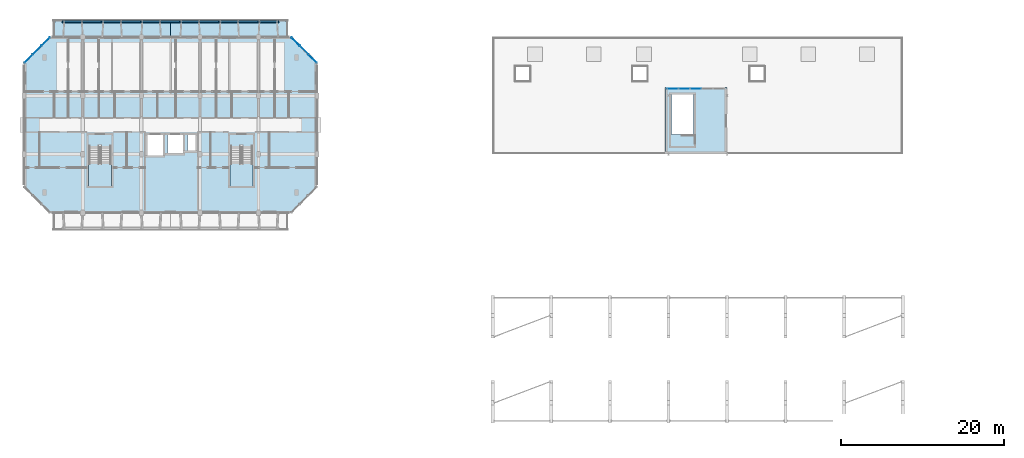
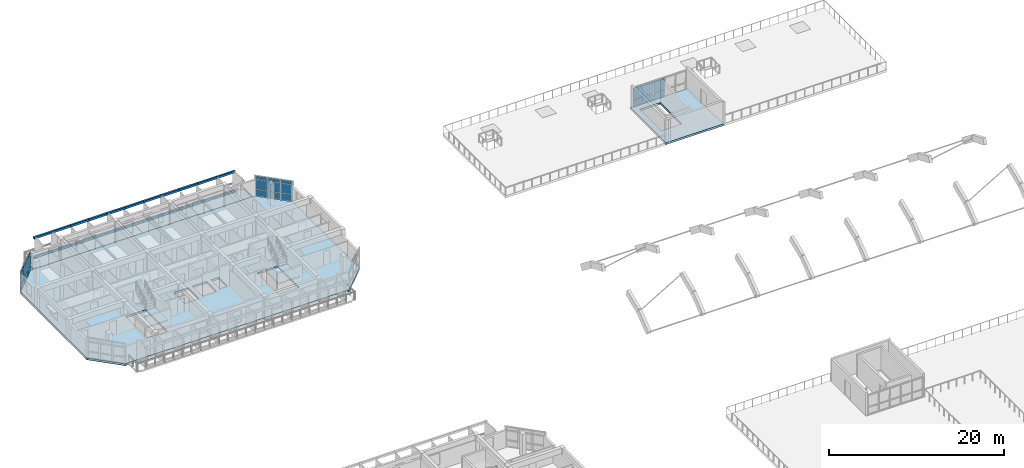
# One storey, part 21 of 64: 46 plates, 6 slabs, 5 elements without a shape of their own.
"""IFC4 building model written with IfcOpenShell, lengths in metres."""

from ifc_helpers import new_model, si_unit, direction, frame, origin, origin_2d, place, context, subcontext, project, spatial, polyline, rectangle, outline, extrude, material, layer, layer_set, type_object, element, aggregate, save


model = new_model("IFC4")

# Units and contexts
model_context = context("Model", 3, precision=1e-05, world=origin(), true_north=direction((0.0, 1.0)))
body_context = subcontext(model_context, "Body", "Model", "MODEL_VIEW")
ifc_project = project(units=[si_unit("LENGTHUNIT", "METRE"), si_unit("AREAUNIT", "SQUARE_METRE"), si_unit("VOLUMEUNIT", "CUBIC_METRE"), si_unit("PLANEANGLEUNIT", "RADIAN"), si_unit("MASSUNIT", "GRAM", prefix="KILO")], contexts=[model_context])

# Site, building, storey
site_placement = place(None, origin())
site = spatial("IfcSite", under=ifc_project, at=site_placement, CompositionType="ELEMENT")
building_placement = place(site_placement, origin())
building = spatial("IfcBuilding", under=site, at=building_placement, Name="Ochrevale Crest", CompositionType="ELEMENT")
storey_placement = place(building_placement, frame((0.0, 0.0, 8.699951171875)))
storey = spatial("IfcBuildingStorey", under=building, at=storey_placement, Name="L02", CompositionType="ELEMENT", Elevation=8.699951171875)

# Curtain wall, plates
ifc_material_1 = material(Name="Anodised aluminium 6063-T5", Category="aluminium")
ifc_layer_1 = layer(ifc_material_1, 0.14990234375)
ifc_layer_set_1 = layer_set([ifc_layer_1], Name="Anodised aluminium 6063-T5")
curtain_wall_type_1 = type_object("IfcCurtainWallType", Name="CW-RG-300x275", PredefinedType="NOTDEFINED", material=ifc_layer_set_1)
curtain_wall_1_placement = place(storey_placement, origin())
curtain_wall_1 = element("IfcCurtainWall", 1, at=curtain_wall_1_placement, inside=storey, type_object=curtain_wall_type_1, Name="North roof-garden conservatory north curtain wall", PredefinedType="NOTDEFINED")
ifc_material_2 = material(Name="Double-glazed low-E insulated glass unit", Category="glass")
ifc_layer_2 = layer(ifc_material_2, 0.028076171875)
ifc_layer_set_2 = layer_set([ifc_layer_2], Name="Double-glazed low-E insulated glass unit")
plate_type_1 = type_object("IfcPlateType", Name="CW-PNL-IGU28", PredefinedType="CURTAIN_PANEL", material=ifc_layer_set_2)
plate_1_placement = place(storey_placement, frame((79.726318359375, 87.25, 0.05517578125), z_axis=(0.0, 0.0, 1.0), x_axis=(1.0, 0.0, 0.0)))
plate_1 = element("IfcPlate", 2, at=plate_1_placement, type_object=plate_type_1, Name="CW14 panel 1.1", PredefinedType="CURTAIN_PANEL", context=body_context, shape_type="SweptSolid", body=[
    extrude(rectangle(XDim=1.322509765625, YDim=0.028076171875, at=origin_2d()), origin(), (0.0, 0.0, 1.0), 0.967529296875),
])
plate_2_placement = place(storey_placement, frame((79.726318359375, 87.25, 1.07763671875), z_axis=(0.0, 0.0, 1.0), x_axis=(1.0, 0.0, 0.0)))
plate_2 = element("IfcPlate", 3, at=plate_2_placement, type_object=plate_type_1, Name="CW14 panel 1.2", PredefinedType="CURTAIN_PANEL", context=body_context, shape_type="SweptSolid", body=[
    extrude(rectangle(XDim=1.322509765625, YDim=0.028076171875, at=origin_2d()), origin(), (0.0, 0.0, 1.0), 1.617431640625),
])
plate_3_placement = place(storey_placement, frame((81.1298828125, 87.25, 0.05517578125), z_axis=(0.0, 0.0, 1.0), x_axis=(1.0, 0.0, 0.0)))
plate_3 = element("IfcPlate", 4, at=plate_3_placement, type_object=plate_type_1, Name="CW14 panel 2.1", PredefinedType="CURTAIN_PANEL", context=body_context, shape_type="SweptSolid", body=[
    extrude(rectangle(XDim=1.35498046875, YDim=0.028076171875, at=origin_2d()), origin(), (0.0, 0.0, 1.0), 0.967529296875),
])
plate_4_placement = place(storey_placement, frame((81.1298828125, 87.25, 1.07763671875), z_axis=(0.0, 0.0, 1.0), x_axis=(1.0, 0.0, 0.0)))
plate_4 = element("IfcPlate", 5, at=plate_4_placement, type_object=plate_type_1, Name="CW14 panel 2.2", PredefinedType="CURTAIN_PANEL", context=body_context, shape_type="SweptSolid", body=[
    extrude(rectangle(XDim=1.35498046875, YDim=0.028076171875, at=origin_2d()), origin(), (0.0, 0.0, 1.0), 1.617431640625),
])
plate_5_placement = place(storey_placement, frame((82.550048828125, 87.25, 0.05517578125), z_axis=(0.0, 0.0, 1.0), x_axis=(1.0, 0.0, 0.0)))
plate_5 = element("IfcPlate", 6, at=plate_5_placement, type_object=plate_type_1, Name="CW14 panel 3.1", PredefinedType="CURTAIN_PANEL", context=body_context, shape_type="SweptSolid", body=[
    extrude(rectangle(XDim=1.35498046875, YDim=0.028076171875, at=origin_2d()), origin(), (0.0, 0.0, 1.0), 0.967529296875),
])
plate_6_placement = place(storey_placement, frame((82.550048828125, 87.25, 1.07763671875), z_axis=(0.0, 0.0, 1.0), x_axis=(1.0, 0.0, 0.0)))
plate_6 = element("IfcPlate", 7, at=plate_6_placement, type_object=plate_type_1, Name="CW14 panel 3.2", PredefinedType="CURTAIN_PANEL", context=body_context, shape_type="SweptSolid", body=[
    extrude(rectangle(XDim=1.35498046875, YDim=0.028076171875, at=origin_2d()), origin(), (0.0, 0.0, 1.0), 1.617431640625),
])
aggregate(curtain_wall_1, [plate_1, plate_2, plate_3, plate_4, plate_5, plate_6])

ifc_layer_3 = layer(ifc_material_1, 0.14990234375)
ifc_layer_set_3 = layer_set([ifc_layer_3], Name="Anodised aluminium 6063-T5")
curtain_wall_type_2 = type_object("IfcCurtainWallType", Name="CW-WG-280x285", PredefinedType="NOTDEFINED", material=ifc_layer_set_3)
curtain_wall_2_placement = place(storey_placement, origin())
curtain_wall_2 = element("IfcCurtainWall", 8, at=curtain_wall_2_placement, inside=storey, type_object=curtain_wall_type_2, Name="Block B L02 chamfered corner wintergarden curtain wall 4", PredefinedType="NOTDEFINED")
ifc_material_3 = material(Name="Acoustic laminated low-E insulated glass unit", Category="glass")
ifc_layer_4 = layer(ifc_material_3, 0.0380859375)
ifc_layer_set_4 = layer_set([ifc_layer_4], Name="Acoustic laminated low-E insulated glass unit")
plate_type_2 = type_object("IfcPlateType", Name="CW-PNL-IGU38", PredefinedType="CURTAIN_PANEL", material=ifc_layer_set_4)
plate_7_placement = place(storey_placement, frame((35.453369140625, 90.946533203125, 0.06005859375), z_axis=(0.0, 0.0, 1.0), x_axis=(-0.707106781187, 0.707106781187, 0.0)))
plate_7 = element("IfcPlate", 9, at=plate_7_placement, type_object=plate_type_2, Name="CW16 panel 1.1", PredefinedType="CURTAIN_PANEL", context=body_context, shape_type="SweptSolid", body=[
    extrude(rectangle(XDim=1.39599609375, YDim=0.0380859375, at=origin_2d()), origin(), (0.0, 0.0, 1.0), 0.860107421875),
])
plate_8_placement = place(storey_placement, frame((35.453369140625, 90.946533203125, 0.97998046875), z_axis=(0.0, 0.0, 1.0), x_axis=(-0.707106781187, 0.707106781187, 0.0)))
plate_8 = element("IfcPlate", 10, at=plate_8_placement, type_object=plate_type_2, Name="CW16 panel 1.2", PredefinedType="CURTAIN_PANEL", context=body_context, shape_type="SweptSolid", body=[
    extrude(rectangle(XDim=1.39599609375, YDim=0.0380859375, at=origin_2d()), origin(), (0.0, 0.0, 1.0), 1.31494140625),
])
plate_9_placement = place(storey_placement, frame((35.453369140625, 90.946533203125, 2.35498046875), z_axis=(0.0, 0.0, 1.0), x_axis=(-0.707106781187, 0.707106781187, 0.0)))
plate_9 = element("IfcPlate", 11, at=plate_9_placement, type_object=plate_type_2, Name="CW16 panel 1.3", PredefinedType="CURTAIN_PANEL", context=body_context, shape_type="SweptSolid", body=[
    extrude(rectangle(XDim=1.39599609375, YDim=0.0380859375, at=origin_2d()), origin(), (0.0, 0.0, 1.0), 0.4599609375),
])
plate_10_placement = place(storey_placement, frame((34.39990234375, 92.0, 0.06005859375), z_axis=(0.0, 0.0, 1.0), x_axis=(-0.707106781187, 0.707106781187, 0.0)))
plate_10 = element("IfcPlate", 12, at=plate_10_placement, type_object=plate_type_2, Name="CW16 panel 2.1", PredefinedType="CURTAIN_PANEL", context=body_context, shape_type="SweptSolid", body=[
    extrude(rectangle(XDim=1.43359375, YDim=0.0380859375, at=origin_2d()), origin(), (0.0, 0.0, 1.0), 0.860107421875),
])
plate_11_placement = place(storey_placement, frame((34.39990234375, 92.0, 0.97998046875), z_axis=(0.0, 0.0, 1.0), x_axis=(-0.707106781187, 0.707106781187, 0.0)))
plate_11 = element("IfcPlate", 13, at=plate_11_placement, type_object=plate_type_2, Name="CW16 panel 2.2", PredefinedType="CURTAIN_PANEL", context=body_context, shape_type="SweptSolid", body=[
    extrude(rectangle(XDim=1.43359375, YDim=0.0380859375, at=origin_2d()), origin(), (0.0, 0.0, 1.0), 1.31494140625),
])
plate_12_placement = place(storey_placement, frame((34.39990234375, 92.0, 2.35498046875), z_axis=(0.0, 0.0, 1.0), x_axis=(-0.707106781187, 0.707106781187, 0.0)))
plate_12 = element("IfcPlate", 14, at=plate_12_placement, type_object=plate_type_2, Name="CW16 panel 2.3", PredefinedType="CURTAIN_PANEL", context=body_context, shape_type="SweptSolid", body=[
    extrude(rectangle(XDim=1.43359375, YDim=0.0380859375, at=origin_2d()), origin(), (0.0, 0.0, 1.0), 0.4599609375),
])
plate_13_placement = place(storey_placement, frame((33.3466796875, 93.053466796875, 0.06005859375), z_axis=(0.0, 0.0, 1.0), x_axis=(-0.707106781187, 0.707106781187, 0.0)))
plate_13 = element("IfcPlate", 15, at=plate_13_placement, type_object=plate_type_2, Name="CW16 panel 3.1", PredefinedType="CURTAIN_PANEL", context=body_context, shape_type="SweptSolid", body=[
    extrude(rectangle(XDim=1.39599609375, YDim=0.0380859375, at=origin_2d()), origin(), (0.0, 0.0, 1.0), 0.860107421875),
])
plate_14_placement = place(storey_placement, frame((33.3466796875, 93.053466796875, 0.97998046875), z_axis=(0.0, 0.0, 1.0), x_axis=(-0.707106781187, 0.707106781187, 0.0)))
plate_14 = element("IfcPlate", 16, at=plate_14_placement, type_object=plate_type_2, Name="CW16 panel 3.2", PredefinedType="CURTAIN_PANEL", context=body_context, shape_type="SweptSolid", body=[
    extrude(rectangle(XDim=1.39599609375, YDim=0.0380859375, at=origin_2d()), origin(), (0.0, 0.0, 1.0), 1.31494140625),
])
plate_15_placement = place(storey_placement, frame((33.3466796875, 93.053466796875, 2.35498046875), z_axis=(0.0, 0.0, 1.0), x_axis=(-0.707106781187, 0.707106781187, 0.0)))
plate_15 = element("IfcPlate", 17, at=plate_15_placement, type_object=plate_type_2, Name="CW16 panel 3.3", PredefinedType="CURTAIN_PANEL", context=body_context, shape_type="SweptSolid", body=[
    extrude(rectangle(XDim=1.39599609375, YDim=0.0380859375, at=origin_2d()), origin(), (0.0, 0.0, 1.0), 0.4599609375),
])
aggregate(curtain_wall_2, [plate_7, plate_8, plate_9, plate_10, plate_11, plate_12, plate_13, plate_14, plate_15])

ifc_layer_5 = layer(ifc_material_1, 0.14990234375)
ifc_layer_set_5 = layer_set([ifc_layer_5], Name="Anodised aluminium 6063-T5")
curtain_wall_type_3 = type_object("IfcCurtainWallType", Name="CW-WG-360x285", PredefinedType="NOTDEFINED", material=ifc_layer_set_5)
curtain_wall_3_placement = place(storey_placement, origin())
curtain_wall_3 = element("IfcCurtainWall", 18, at=curtain_wall_3_placement, inside=storey, type_object=curtain_wall_type_3, Name="Block B L02 chamfered corner wintergarden curtain wall 6", PredefinedType="NOTDEFINED")
plate_16_placement = place(storey_placement, frame((2.6533203125, 93.053466796875, 0.06005859375), z_axis=(0.0, 0.0, 1.0), x_axis=(-0.707106781187, -0.707106781187, 0.0)))
plate_16 = element("IfcPlate", 19, at=plate_16_placement, type_object=plate_type_2, Name="CW18 panel 1.1", PredefinedType="CURTAIN_PANEL", context=body_context, shape_type="SweptSolid", body=[
    extrude(rectangle(XDim=1.39599609375, YDim=0.0380859375, at=origin_2d()), origin(), (0.0, 0.0, 1.0), 0.860107421875),
])
plate_17_placement = place(storey_placement, frame((2.6533203125, 93.053466796875, 0.97998046875), z_axis=(0.0, 0.0, 1.0), x_axis=(-0.707106781187, -0.707106781187, 0.0)))
plate_17 = element("IfcPlate", 20, at=plate_17_placement, type_object=plate_type_2, Name="CW18 panel 1.2", PredefinedType="CURTAIN_PANEL", context=body_context, shape_type="SweptSolid", body=[
    extrude(rectangle(XDim=1.39599609375, YDim=0.0380859375, at=origin_2d()), origin(), (0.0, 0.0, 1.0), 1.31494140625),
])
plate_18_placement = place(storey_placement, frame((2.6533203125, 93.053466796875, 2.35498046875), z_axis=(0.0, 0.0, 1.0), x_axis=(-0.707106781187, -0.707106781187, 0.0)))
plate_18 = element("IfcPlate", 21, at=plate_18_placement, type_object=plate_type_2, Name="CW18 panel 1.3", PredefinedType="CURTAIN_PANEL", context=body_context, shape_type="SweptSolid", body=[
    extrude(rectangle(XDim=1.39599609375, YDim=0.0380859375, at=origin_2d()), origin(), (0.0, 0.0, 1.0), 0.4599609375),
])
plate_19_placement = place(storey_placement, frame((1.60009765625, 92.0, 0.06005859375), z_axis=(0.0, 0.0, 1.0), x_axis=(-0.707106781187, -0.707106781187, 0.0)))
plate_19 = element("IfcPlate", 22, at=plate_19_placement, type_object=plate_type_2, Name="CW18 panel 2.1", PredefinedType="CURTAIN_PANEL", context=body_context, shape_type="SweptSolid", body=[
    extrude(rectangle(XDim=1.43359375, YDim=0.0380859375, at=origin_2d()), origin(), (0.0, 0.0, 1.0), 0.860107421875),
])
plate_20_placement = place(storey_placement, frame((1.60009765625, 92.0, 0.97998046875), z_axis=(0.0, 0.0, 1.0), x_axis=(-0.707106781187, -0.707106781187, 0.0)))
plate_20 = element("IfcPlate", 23, at=plate_20_placement, type_object=plate_type_2, Name="CW18 panel 2.2", PredefinedType="CURTAIN_PANEL", context=body_context, shape_type="SweptSolid", body=[
    extrude(rectangle(XDim=1.43359375, YDim=0.0380859375, at=origin_2d()), origin(), (0.0, 0.0, 1.0), 1.31494140625),
])
plate_21_placement = place(storey_placement, frame((1.60009765625, 92.0, 2.35498046875), z_axis=(0.0, 0.0, 1.0), x_axis=(-0.707106781187, -0.707106781187, 0.0)))
plate_21 = element("IfcPlate", 24, at=plate_21_placement, type_object=plate_type_2, Name="CW18 panel 2.3", PredefinedType="CURTAIN_PANEL", context=body_context, shape_type="SweptSolid", body=[
    extrude(rectangle(XDim=1.43359375, YDim=0.0380859375, at=origin_2d()), origin(), (0.0, 0.0, 1.0), 0.4599609375),
])
plate_22_placement = place(storey_placement, frame((0.546630859375, 90.946533203125, 0.06005859375), z_axis=(0.0, 0.0, 1.0), x_axis=(-0.707106781187, -0.707106781187, 0.0)))
plate_22 = element("IfcPlate", 25, at=plate_22_placement, type_object=plate_type_2, Name="CW18 panel 3.1", PredefinedType="CURTAIN_PANEL", context=body_context, shape_type="SweptSolid", body=[
    extrude(rectangle(XDim=1.39599609375, YDim=0.0380859375, at=origin_2d()), origin(), (0.0, 0.0, 1.0), 0.860107421875),
])
plate_23_placement = place(storey_placement, frame((0.546630859375, 90.946533203125, 0.97998046875), z_axis=(0.0, 0.0, 1.0), x_axis=(-0.707106781187, -0.707106781187, 0.0)))
plate_23 = element("IfcPlate", 26, at=plate_23_placement, type_object=plate_type_2, Name="CW18 panel 3.2", PredefinedType="CURTAIN_PANEL", context=body_context, shape_type="SweptSolid", body=[
    extrude(rectangle(XDim=1.39599609375, YDim=0.0380859375, at=origin_2d()), origin(), (0.0, 0.0, 1.0), 1.31494140625),
])
plate_24_placement = place(storey_placement, frame((0.546630859375, 90.946533203125, 2.35498046875), z_axis=(0.0, 0.0, 1.0), x_axis=(-0.707106781187, -0.707106781187, 0.0)))
plate_24 = element("IfcPlate", 27, at=plate_24_placement, type_object=plate_type_2, Name="CW18 panel 3.3", PredefinedType="CURTAIN_PANEL", context=body_context, shape_type="SweptSolid", body=[
    extrude(rectangle(XDim=1.39599609375, YDim=0.0380859375, at=origin_2d()), origin(), (0.0, 0.0, 1.0), 0.4599609375),
])
aggregate(curtain_wall_3, [plate_16, plate_17, plate_18, plate_19, plate_20, plate_21, plate_22, plate_23, plate_24])

# Plates
ifc_material_4 = material(Name="Precast concrete C40/50", Category="concrete")
ifc_layer_6 = layer(ifc_material_4, 0.06005859375)
ifc_layer_set_6 = layer_set([ifc_layer_6], Name="Precast concrete C40/50")
plate_type_3 = type_object("IfcPlateType", Name="PLT-HC-HEAD-60", PredefinedType="USERDEFINED", material=ifc_layer_set_6)
for number, where, z_axis, x_axis, name in (
    (28, (6.0, 95.5, 2.669921875), (0.0, 0.0, 1.0), (1.0, 0.0, 0.0), "Block B L02 N honeycomb arched lintel fascia 1"),
    (29, (8.39990234375, 95.5, 2.669921875), (0.0, 0.0, 1.0), (1.0, 0.0, 0.0), "Block B L02 N honeycomb arched lintel fascia 2"),
    (30, (10.800048828125, 95.5, 2.669921875), (0.0, 0.0, 1.0), (1.0, 0.0, 0.0), "Block B L02 N honeycomb arched lintel fascia 3"),
    (31, (13.199951171875, 95.5, 2.669921875), (0.0, 0.0, 1.0), (1.0, 0.0, 0.0), "Block B L02 N honeycomb arched lintel fascia 4"),
    (32, (15.60009765625, 95.5, 2.669921875), (0.0, 0.0, 1.0), (1.0, 0.0, 0.0), "Block B L02 N honeycomb arched lintel fascia 5"),
    (33, (18.0, 95.5, 2.669921875), (0.0, 0.0, 1.0), (1.0, 0.0, 0.0), "Block B L02 N honeycomb arched lintel fascia 6"),
    (34, (20.39990234375, 95.5, 2.669921875), (0.0, 0.0, 1.0), (1.0, 0.0, 0.0), "Block B L02 N honeycomb arched lintel fascia 7"),
    (35, (22.800048828125, 95.5, 2.669921875), (0.0, 0.0, 1.0), (1.0, 0.0, 0.0), "Block B L02 N honeycomb arched lintel fascia 8"),
    (36, (25.199951171875, 95.5, 2.669921875), (0.0, 0.0, 1.0), (1.0, 0.0, 0.0), "Block B L02 N honeycomb arched lintel fascia 9"),
    (37, (27.60009765625, 95.5, 2.669921875), (0.0, 0.0, 1.0), (1.0, 0.0, 0.0), "Block B L02 N honeycomb arched lintel fascia 10"),
    (38, (30.0, 95.5, 2.669921875), (0.0, 0.0, 1.0), (1.0, 0.0, 0.0), "Block B L02 N honeycomb arched lintel fascia 11"),
):
    element("IfcPlate", number, at=place(storey_placement, frame(where, z_axis=z_axis, x_axis=x_axis)), inside=storey, type_object=plate_type_3, Name=name, ObjectType="FACADE FASCIA PLATE", PredefinedType="USERDEFINED", context=body_context, shape_type="SweptSolid", body=[
        extrude(rectangle(XDim=2.60009765625, YDim=0.239990234375, at=origin_2d()), origin(), (0.0, 0.0, 1.0), 0.280029296875),
    ])
ifc_layer_7 = layer(ifc_material_4, 0.044921875)
ifc_layer_set_7 = layer_set([ifc_layer_7], Name="Precast concrete C40/50")
plate_type_4 = type_object("IfcPlateType", Name="PLT-HC-SILL-45", PredefinedType="USERDEFINED", material=ifc_layer_set_7)
for number, where, z_axis, x_axis, name in (
    (39, (6.0, 95.5, 0.0), (0.0, 0.0, 1.0), (1.0, 0.0, 0.0), "Block B L02 N honeycomb sill coping plate 1"),
    (40, (8.39990234375, 95.5, 0.0), (0.0, 0.0, 1.0), (1.0, 0.0, 0.0), "Block B L02 N honeycomb sill coping plate 2"),
    (41, (10.800048828125, 95.5, 0.0), (0.0, 0.0, 1.0), (1.0, 0.0, 0.0), "Block B L02 N honeycomb sill coping plate 3"),
    (42, (13.199951171875, 95.5, 0.0), (0.0, 0.0, 1.0), (1.0, 0.0, 0.0), "Block B L02 N honeycomb sill coping plate 4"),
    (43, (15.60009765625, 95.5, 0.0), (0.0, 0.0, 1.0), (1.0, 0.0, 0.0), "Block B L02 N honeycomb sill coping plate 5"),
    (44, (18.0, 95.5, 0.0), (0.0, 0.0, 1.0), (1.0, 0.0, 0.0), "Block B L02 N honeycomb sill coping plate 6"),
    (45, (20.39990234375, 95.5, 0.0), (0.0, 0.0, 1.0), (1.0, 0.0, 0.0), "Block B L02 N honeycomb sill coping plate 7"),
    (46, (22.800048828125, 95.5, 0.0), (0.0, 0.0, 1.0), (1.0, 0.0, 0.0), "Block B L02 N honeycomb sill coping plate 8"),
    (47, (25.199951171875, 95.5, 0.0), (0.0, 0.0, 1.0), (1.0, 0.0, 0.0), "Block B L02 N honeycomb sill coping plate 9"),
    (48, (27.60009765625, 95.5, 0.0), (0.0, 0.0, 1.0), (1.0, 0.0, 0.0), "Block B L02 N honeycomb sill coping plate 10"),
    (49, (30.0, 95.5, 0.0), (0.0, 0.0, 1.0), (1.0, 0.0, 0.0), "Block B L02 N honeycomb sill coping plate 11"),
):
    element("IfcPlate", number, at=place(storey_placement, frame(where, z_axis=z_axis, x_axis=x_axis)), inside=storey, type_object=plate_type_4, Name=name, ObjectType="SILL COPING PLATE", PredefinedType="USERDEFINED", context=body_context, shape_type="SweptSolid", body=[
        extrude(rectangle(XDim=2.60009765625, YDim=0.219970703125, at=origin_2d()), origin(), (0.0, 0.0, 1.0), 0.260009765625),
    ])

# Slabs
ifc_layer_8 = layer(ifc_material_4, 0.199951171875)
ifc_layer_set_8 = layer_set([ifc_layer_8], Name="Precast concrete C40/50")
slab_type_1 = type_object("IfcSlabType", Name="SLB-BAL-200", PredefinedType="FLOOR", material=ifc_layer_set_8)
slab_1_placement = place(storey_placement, frame((0.0, 0.0, -0.199951171875)))
element("IfcSlab", 50, at=slab_1_placement, inside=storey, type_object=slab_type_1, Name="Block B L02 N1 precast loggia balcony slab", PredefinedType="FLOOR", context=body_context, shape_type="SweptSolid", body=[
    extrude(outline(polyline([(3.60009765625, 93.60009765625), (18.0, 93.60009765625), (18.0, 95.699951171875), (4.050048828125, 95.699951171875), (3.60009765625, 95.25), (3.60009765625, 93.60009765625)])), origin(), (0.0, 0.0, 1.0), 0.199951171875),
])
slab_2_placement = place(storey_placement, frame((0.0, 0.0, -0.199951171875)))
element("IfcSlab", 51, at=slab_2_placement, inside=storey, type_object=slab_type_1, Name="Block B L02 N2 precast loggia balcony slab", PredefinedType="FLOOR", context=body_context, shape_type="SweptSolid", body=[
    extrude(outline(polyline([(18.0, 93.60009765625), (32.39990234375, 93.60009765625), (32.39990234375, 95.25), (31.949951171875, 95.699951171875), (18.0, 95.699951171875), (18.0, 93.60009765625)])), origin(), (0.0, 0.0, 1.0), 0.199951171875),
])
ifc_layer_9 = layer(ifc_material_4, 0.27490234375)
ifc_layer_set_9 = layer_set([ifc_layer_9], Name="Precast concrete C40/50")
slab_type_2 = type_object("IfcSlabType", Name="SLB-RES-275", PredefinedType="FLOOR", material=ifc_layer_set_9)
slab_3_placement = place(storey_placement, frame((0.0, 0.0, -0.27490234375)))
element("IfcSlab", 52, at=slab_3_placement, inside=storey, type_object=slab_type_2, Name="Block B L02 composite hollowcore floor slab", PredefinedType="FLOOR", context=body_context, shape_type="SweptSolid", body=[
    extrude(outline(polyline([(3.199951171875, 72.0), (32.800048828125, 72.0), (36.0, 75.199951171875), (36.0, 90.39990234375), (32.800048828125, 93.60009765625), (3.199951171875, 93.60009765625), (0.0, 90.39990234375), (0.0, 75.199951171875), (3.199951171875, 72.0)]), holes=[polyline([(8.0, 80.175048828125), (8.0, 75.27490234375), (10.64990234375, 75.27490234375), (10.64990234375, 80.175048828125), (8.0, 80.175048828125)]), polyline([(25.39990234375, 80.175048828125), (25.39990234375, 75.27490234375), (28.050048828125, 75.27490234375), (28.050048828125, 80.175048828125), (25.39990234375, 80.175048828125)]), polyline([(15.14990234375, 79.050048828125), (17.050048828125, 79.050048828125), (17.050048828125, 81.550048828125), (15.14990234375, 81.550048828125), (15.14990234375, 79.050048828125)]), polyline([(17.60009765625, 79.35009765625), (19.5, 79.35009765625), (19.5, 81.550048828125), (17.60009765625, 81.550048828125), (17.60009765625, 79.35009765625)]), polyline([(20.070068359375, 79.6201171875), (21.080078125, 79.6201171875), (21.080078125, 81.580078125), (20.070068359375, 81.580078125), (20.070068359375, 79.6201171875)])]), origin(), (0.0, 0.0, 1.0), 0.27490234375),
])
slab_4_placement = place(storey_placement, frame((0.0, 0.0, -0.27490234375)))
element("IfcSlab", 53, at=slab_4_placement, inside=storey, type_object=slab_type_2, Name="Nursery roof-garden stair lobby floor slab", PredefinedType="FLOOR", context=body_context, shape_type="SweptSolid", body=[
    extrude(outline(polyline([(78.800048828125, 79.25), (86.39990234375, 79.25), (86.39990234375, 87.39990234375), (78.800048828125, 87.39990234375), (78.800048828125, 79.25)]), holes=[polyline([(82.25, 81.625), (82.25, 86.52490234375), (79.60009765625, 86.52490234375), (79.60009765625, 81.625), (82.25, 81.625)])]), origin(), (0.0, 0.0, 1.0), 0.27490234375),
])

# Stair, slab
stair_type = type_object("IfcStairType", Name="ST-CORE-DOG", PredefinedType="HALF_TURN_STAIR", material=ifc_material_4)
stair_1_placement = place(storey_placement, origin())
stair_1 = element("IfcStair", 54, at=stair_1_placement, inside=storey, type_object=stair_type, Name="L02 Block B Fire Stair 1", PredefinedType="HALF_TURN_STAIR")
ifc_layer_10 = layer(ifc_material_4, 0.199951171875)
ifc_layer_set_10 = layer_set([ifc_layer_10], Name="Precast concrete C40/50")
slab_type_3 = type_object("IfcSlabType", Name="SLB-ST-LAND", PredefinedType="LANDING", material=ifc_layer_set_10)
slab_5_placement = place(storey_placement, frame((0.0, 0.0, 1.375)))
slab_5 = element("IfcSlab", 55, at=slab_5_placement, type_object=slab_type_3, Name="ST-B1 landing 1", PredefinedType="LANDING", context=body_context, shape_type="SweptSolid", body=[
    extrude(outline(polyline([(7.919921875, 78.06494140625), (7.919921875, 75.195068359375), (10.72998046875, 75.195068359375), (10.72998046875, 78.06494140625), (7.919921875, 78.06494140625)])), origin(), (0.0, 0.0, 1.0), 0.199951171875),
])
aggregate(stair_1, [slab_5])

stair_2_placement = place(storey_placement, origin())
stair_2 = element("IfcStair", 56, at=stair_2_placement, inside=storey, type_object=stair_type, Name="L02 Block B Fire Stair 2", PredefinedType="HALF_TURN_STAIR")
slab_6_placement = place(storey_placement, frame((0.0, 0.0, 1.375)))
slab_6 = element("IfcSlab", 57, at=slab_6_placement, type_object=slab_type_3, Name="ST-B2 landing 1", PredefinedType="LANDING", context=body_context, shape_type="SweptSolid", body=[
    extrude(outline(polyline([(25.320068359375, 78.06494140625), (25.320068359375, 75.195068359375), (28.1298828125, 75.195068359375), (28.1298828125, 78.06494140625), (25.320068359375, 78.06494140625)])), origin(), (0.0, 0.0, 1.0), 0.199951171875),
])
aggregate(stair_2, [slab_6])

save(model, "model.ifc")
